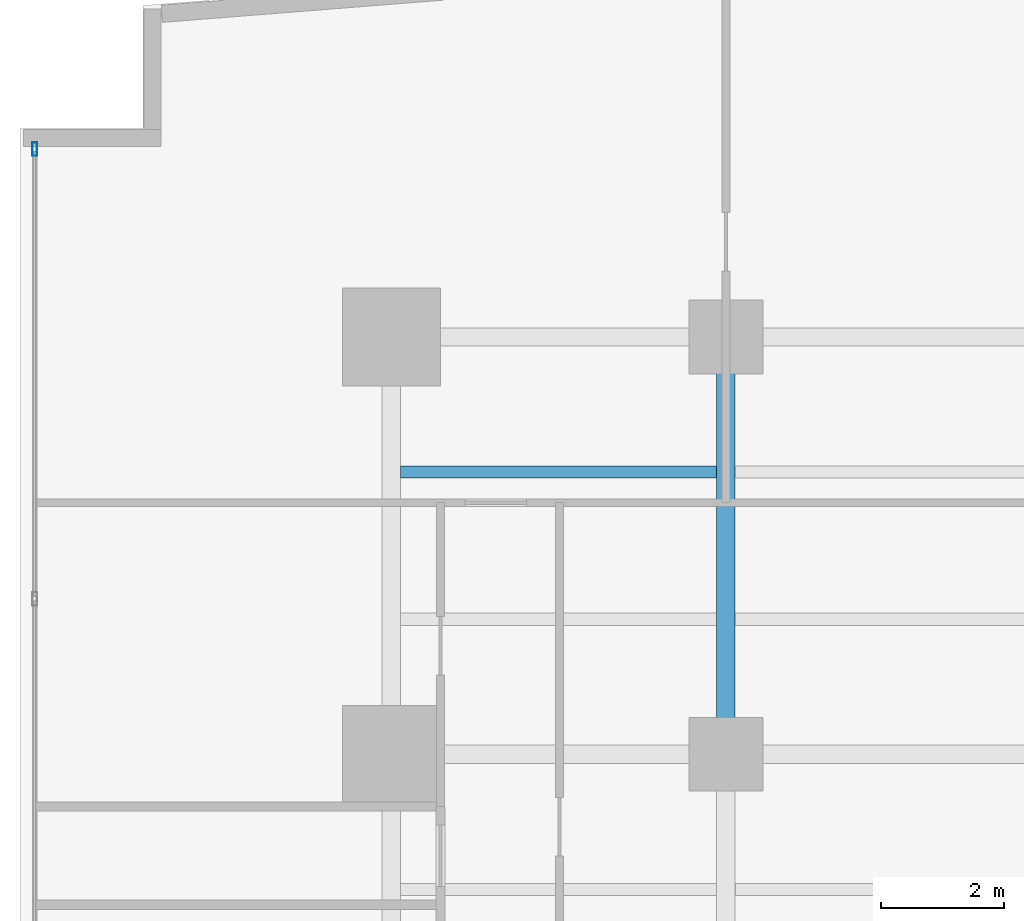
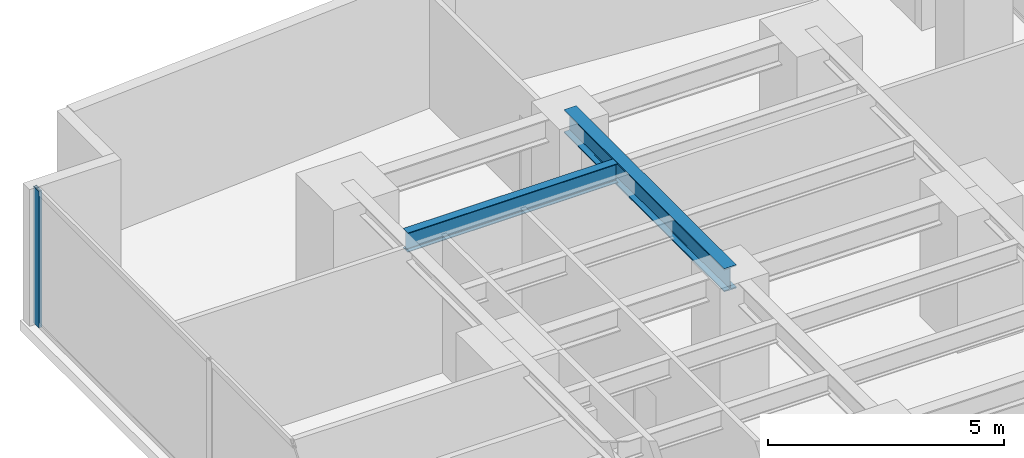
# One storey, part 17 of 30: 2 beams, 1 member, 1 element without a shape of its own.
"""IFC4 building model written with IfcOpenShell, lengths in metres."""

from ifc_helpers import new_model, si_unit, direction, frame, origin, origin_with_axes, origin_2d, place, context, subcontext, project, spatial, hollow_rectangle, i_section, extrude, source, transform, mapped, material, layer, layer_set, material_profile, profile_set, type_object, element, aggregate, save


model = new_model("IFC4")

# Units and contexts
model_context = context("Model", 3, precision=1e-05, world=origin(), true_north=direction((0.0, 1.0)))
body_context = subcontext(model_context, "Body", "Model", "MODEL_VIEW")
ifc_project = project(units=[si_unit("LENGTHUNIT", "METRE"), si_unit("AREAUNIT", "SQUARE_METRE"), si_unit("VOLUMEUNIT", "CUBIC_METRE"), si_unit("PLANEANGLEUNIT", "RADIAN"), si_unit("MASSUNIT", "GRAM", prefix="KILO")], contexts=[model_context])

# Site, building, storey
site_placement = place(None, origin())
site = spatial("IfcSite", under=ifc_project, at=site_placement, CompositionType="ELEMENT")
building_placement = place(site_placement, origin())
building = spatial("IfcBuilding", under=site, at=building_placement, Name="Kolvaren Waterfront Exchange", CompositionType="ELEMENT")
storey_placement = place(building_placement, frame((0.0, 0.0, 71.39990234375)))
storey = spatial("IfcBuildingStorey", under=building, at=storey_placement, Name="L18", CompositionType="ELEMENT", Elevation=71.39990234375)

# Beams
ifc_material_1 = material(Name="Steel S355", Category="steel")
ifc_material_profile_1 = material_profile(ifc_material_1, i_section(OverallWidth=0.300048828125, OverallDepth=0.60009765625, WebThickness=0.015380859375, FlangeThickness=0.030029296875, FilletRadius=0.027099609375, at=origin_2d()), Name="HEB600")
ifc_profile_set_1 = profile_set([ifc_material_profile_1], Name="Steel S355")
beam_type_1 = type_object("IfcBeamType", Name="STR-BM-HEB600", PredefinedType="BEAM", material=ifc_profile_set_1)
beam_1_placement = place(storey_placement, frame((12.89990234375, 37.800048828125, 3.239990234375), z_axis=(0.0, 1.0, 0.0), x_axis=(-1.0, 0.0, 0.0)))
element("IfcBeam", 1, at=beam_1_placement, inside=storey, type_object=beam_type_1, Name="L18 north-arm edge beam 3", PredefinedType="BEAM", context=body_context, shape_type="SweptSolid", body=[
    extrude(i_section(OverallWidth=0.300048828125, OverallDepth=0.60009765625, WebThickness=0.015380859375, FlangeThickness=0.030029296875, FilletRadius=0.027099609375, at=origin_2d()), origin(), (0.0, 0.0, 1.0), 6.800048828125),
])
ifc_material_profile_2 = material_profile(ifc_material_1, i_section(OverallWidth=0.199951171875, OverallDepth=0.5, WebThickness=0.01025390625, FlangeThickness=0.01611328125, FilletRadius=0.02099609375, at=origin_2d()), Name="IPE500")
ifc_profile_set_2 = profile_set([ifc_material_profile_2], Name="Steel S355")
beam_type_2 = type_object("IfcBeamType", Name="STR-BM-IPE500", PredefinedType="JOIST", material=ifc_profile_set_2)
beam_2_placement = place(storey_placement, frame((7.60205078125, 42.39990234375, 3.2900390625), z_axis=(1.0, 0.0, 0.0), x_axis=(0.0, 1.0, 0.0)))
element("IfcBeam", 2, at=beam_2_placement, inside=storey, type_object=beam_type_2, Name="L18 north-arm composite joist 6A", PredefinedType="JOIST", context=body_context, shape_type="SweptSolid", body=[
    extrude(i_section(OverallWidth=0.199951171875, OverallDepth=0.5, WebThickness=0.01025390625, FlangeThickness=0.01611328125, FilletRadius=0.02099609375, at=origin_2d()), origin(), (0.0, 0.0, 1.0), 5.14599609375),
])

# Curtain wall, member
ifc_material_2 = material(Name="Anodised aluminium 6063-T6", Category="aluminium")
ifc_layer = layer(ifc_material_2, 0.219970703125, Name="Anodised aluminium 6063-T6")
ifc_layer_set = layer_set([ifc_layer], Name="Anodised aluminium 6063-T6")
curtain_wall_type = type_object("IfcCurtainWallType", Name="ARC-CW-SYS2", PredefinedType="USERDEFINED", material=ifc_layer_set)
curtain_wall_placement = place(storey_placement, origin())
curtain_wall = element("IfcCurtainWall", 3, at=curtain_wall_placement, inside=storey, type_object=curtain_wall_type, Name="L18 stick curtain wall CW2 (CW-L18-W)", ObjectType="STICK CURTAIN WALL", PredefinedType="USERDEFINED")
ifc_material_profile_3 = material_profile(ifc_material_2, hollow_rectangle(XDim=0.080078125, YDim=0.219970703125, WallThickness=0.0048828125, at=origin_2d()), Name="ALU-MUL-220x80x5")
ifc_profile_set_3 = profile_set([ifc_material_profile_3], Name="Anodised aluminium 6063-T6")
member_type = type_object("IfcMemberType", Name="ARC-CWM-220", PredefinedType="MULLION", material=ifc_profile_set_3)
shared_shape = source(origin_with_axes(), body_context, "Body", "SweptSolid", [
    extrude(hollow_rectangle(XDim=0.080078125, YDim=0.219970703125, WallThickness=0.0048828125, at=origin_2d()), origin(), (0.0, 0.0, 1.0), 3.5400390625),
])
member_placement = place(storey_placement, frame((1.639892578125, 47.659912109375, 0.0), z_axis=(0.0, 0.0, 1.0), x_axis=(-1.0, 0.0, 0.0)))
member = element("IfcMember", 4, at=member_placement, type_object=member_type, Name="CW2 mullion 7", PredefinedType="MULLION", context=body_context, shape_type="MappedRepresentation", body=[
    mapped(shared_shape, transform((0.0, 0.0, 0.0), x_axis=(1.0, 0.0, 0.0), y_axis=(0.0, 1.0, 0.0), z_axis=(0.0, 0.0, 1.0), scale=1.0)),
])
aggregate(curtain_wall, [member])

save(model, "model.ifc")
